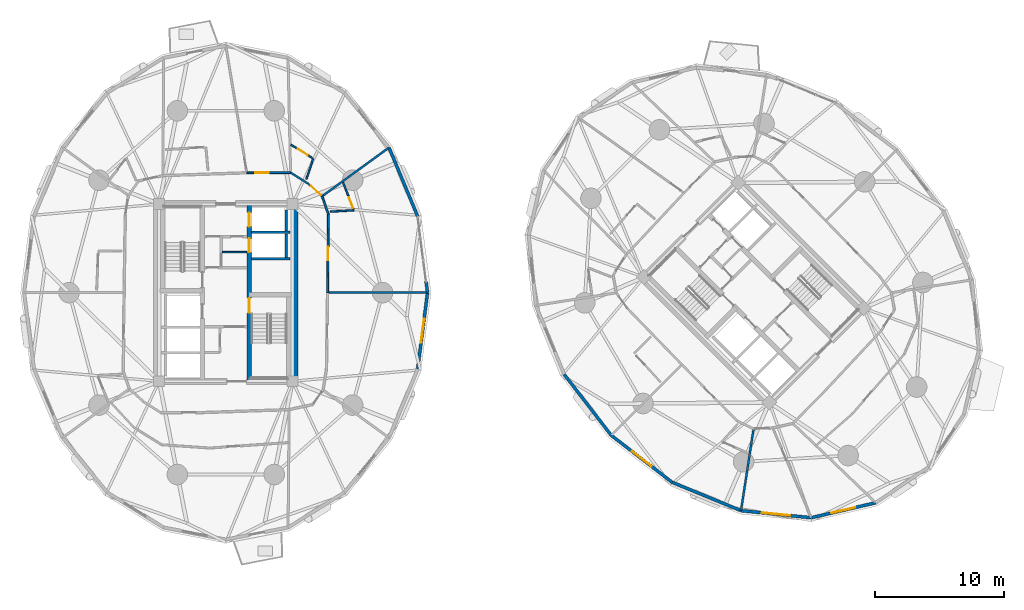
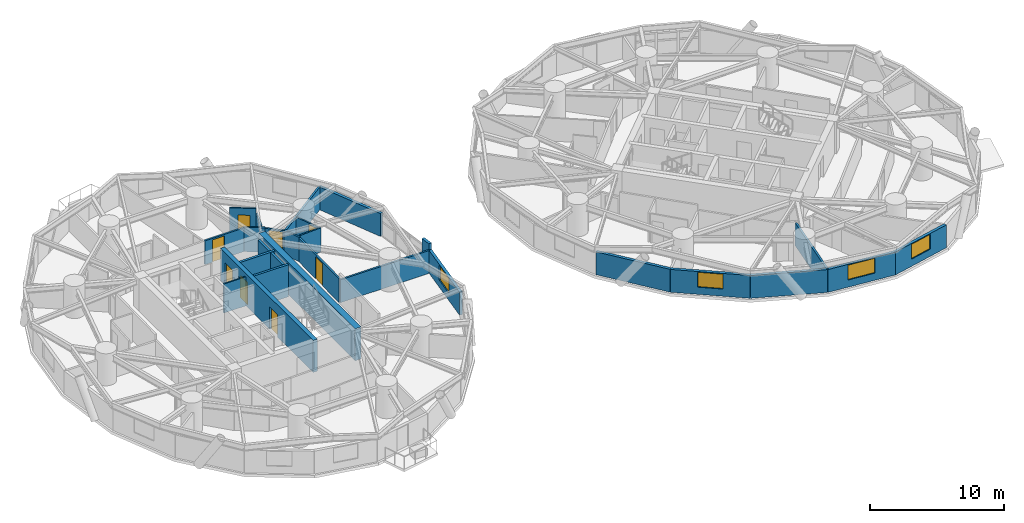
# One storey, part 11 of 18: 27 walls, 8 doors, 4 windows, 12 openings.
"""IFC4 building model written with IfcOpenShell, lengths in metres."""

from ifc_helpers import new_model, si_unit, direction, frame, frame_2d, origin, place, context, subcontext, project, spatial, rectangle, extrude, source, transform, mapped, material, layer, layer_set, type_object, element, fill, save


model = new_model("IFC4")

# Units and contexts
model_context = context("Model", 3, precision=1e-05, world=origin(), true_north=direction((0.0, 1.0)))
body_context = subcontext(model_context, "Body", "Model", "MODEL_VIEW")
ifc_project = project(units=[si_unit("LENGTHUNIT", "METRE"), si_unit("AREAUNIT", "SQUARE_METRE"), si_unit("VOLUMEUNIT", "CUBIC_METRE"), si_unit("PLANEANGLEUNIT", "RADIAN"), si_unit("MASSUNIT", "GRAM", prefix="KILO")], contexts=[model_context])

# Site, building, storey
site_placement = place(None, origin())
site = spatial("IfcSite", under=ifc_project, at=site_placement, CompositionType="ELEMENT")
building_placement = place(site_placement, origin())
building = spatial("IfcBuilding", under=site, at=building_placement, Name="Cununo Teusaquillo Station Towers", CompositionType="ELEMENT")
storey_placement = place(building_placement, frame((0.0, 0.0, 51.10009765625)))
storey = spatial("IfcBuildingStorey", under=building, at=storey_placement, Name="L15", CompositionType="ELEMENT", Elevation=51.10009765625)

# Walls
ifc_material_1 = material(Name="Concrete C50/60", Category="concrete")
ifc_layer_1 = layer(ifc_material_1, 0.199951171875)
ifc_layer_set_1 = layer_set([ifc_layer_1], Name="Concrete C50/60")
wall_type_1 = type_object("IfcWallType", Name="WL-CORE-200", PredefinedType="SHEAR", material=ifc_layer_set_1)
for number, where, z_axis, x_axis, name in (
    (1, (18.510009765625, 27.1298828125, 0.0), (0.0, 0.0, 1.0), (1.0, 0.0, 0.0), "L15 Tower A Low-Rise Lift Hoistway South Shear Wall"),
    (2, (18.510009765625, 29.175048828125, 0.0), (0.0, 0.0, 1.0), (1.0, 0.0, 0.0), "L15 Tower A Low-Rise Lift Hoistway Divider Shear Wall"),
):
    element("IfcWall", number, at=place(storey_placement, frame(where, z_axis=z_axis, x_axis=x_axis)), inside=storey, type_object=wall_type_1, Name=name, PredefinedType="SHEAR", context=body_context, shape_type="SweptSolid", body=[
        extrude(rectangle(XDim=2.969970703125, YDim=0.199951171875, at=frame_2d((1.48486328125, 0.0))), origin(), (0.0, 0.0, 1.0), 2.909912109375),
    ])
wall_1_placement = place(storey_placement, frame((21.179931640625, 27.25, 0.0), z_axis=(0.0, 0.0, 1.0), x_axis=(0.0, 1.0, 0.0)))
element("IfcWall", 3, at=wall_1_placement, inside=storey, type_object=wall_type_1, Name="L15 Tower A Low-Rise Lift 1 Shaft Rear Shear Wall", PredefinedType="SHEAR", context=body_context, shape_type="SweptSolid", body=[
    extrude(rectangle(XDim=1.804931640625, YDim=0.199951171875, at=frame_2d((0.90234375, 0.0))), origin(), (0.0, 0.0, 1.0), 2.909912109375),
])
wall_2_placement = place(storey_placement, frame((21.179931640625, 29.294921875, 0.0), z_axis=(0.0, 0.0, 1.0), x_axis=(0.0, 1.0, 0.0)))
element("IfcWall", 4, at=wall_2_placement, inside=storey, type_object=wall_type_1, Name="L15 Tower A Low-Rise Lift 2 Shaft Rear Shear Wall", PredefinedType="SHEAR", context=body_context, shape_type="SweptSolid", body=[
    extrude(rectangle(XDim=1.635009765625, YDim=0.199951171875, at=frame_2d((0.8173828125, 0.0))), origin(), (0.0, 0.0, 1.0), 2.909912109375),
])

# Wall, openings, doors
ifc_material_2 = material(Name="Concrete C50/60", Category="concrete")
ifc_layer_2 = layer(ifc_material_2, 0.35009765625)
ifc_layer_set_2 = layer_set([ifc_layer_2], Name="Concrete C50/60")
wall_type_2 = type_object("IfcWallType", Name="WL-CORE-350", PredefinedType="SHEAR", material=ifc_layer_set_2)
wall_3_placement = place(storey_placement, frame((18.31494140625, 17.60009765625, 0.0), z_axis=(0.0, 0.0, 1.0), x_axis=(0.0, 1.0, 0.0)))
wall_3 = element("IfcWall", 5, at=wall_3_placement, inside=storey, type_object=wall_type_2, Name="L15 Tower A Core Shear Wall IE", PredefinedType="SHEAR", context=body_context, shape_type="SweptSolid", body=[
    extrude(rectangle(XDim=13.7998046875, YDim=0.35009765625, at=frame_2d((6.89990234375, 0.0))), origin(), (0.0, 0.0, 1.0), 2.909912109375),
])
shared_shape_1 = source(origin(), body_context, "Body", "SweptSolid", [
    extrude(rectangle(XDim=1.10009765625, YDim=2.014892578125, at=frame_2d((0.550048828125, 1.00732421875))), frame((0.0, 0.18505859375, 0.0), z_axis=(0.0, -1.0, 0.0), x_axis=(1.0, 0.0, 0.0)), (0.0, 0.0, 1.0), 0.3701171875),
])
opening_1_placement = place(wall_3_placement, frame((10.02490234375, 0.0, 0.0)))
opening_1 = element("IfcOpeningElement", 6, at=opening_1_placement, cuts=wall_3, Name="Opening LD-01", PredefinedType="OPENING", context=body_context, shape_type="MappedRepresentation", body=[
    mapped(shared_shape_1, transform((0.0, 0.0, 0.0), x_axis=(1.0, 0.0, 0.0), y_axis=(0.0, 1.0, 0.0), z_axis=(0.0, 0.0, 1.0), scale=1.0)),
])
opening_2_placement = place(wall_3_placement, frame((12.02490234375, 0.0, 0.0)))
opening_2 = element("IfcOpeningElement", 7, at=opening_2_placement, cuts=wall_3, Name="Opening LD-01", PredefinedType="OPENING", context=body_context, shape_type="MappedRepresentation", body=[
    mapped(shared_shape_1, transform((0.0, 0.0, 0.0), x_axis=(1.0, 0.0, 0.0), y_axis=(0.0, 1.0, 0.0), z_axis=(0.0, 0.0, 1.0), scale=1.0)),
])
shared_shape_2 = source(origin(), body_context, "Body", "SweptSolid", [
    extrude(rectangle(XDim=1.14990234375, YDim=2.02001953125, at=frame_2d((0.574951171875, 1.010009765625))), frame((0.0, 0.18505859375, 0.0), z_axis=(0.0, -1.0, 0.0), x_axis=(1.0, 0.0, 0.0)), (0.0, 0.0, 1.0), 0.3701171875),
])
opening_3_placement = place(wall_3_placement, frame((5.330078125, 0.0, 0.0)))
opening_3 = element("IfcOpeningElement", 8, at=opening_3_placement, cuts=wall_3, Name="Opening D-ST1", PredefinedType="OPENING", context=body_context, shape_type="MappedRepresentation", body=[
    mapped(shared_shape_2, transform((0.0, 0.0, 0.0), x_axis=(1.0, 0.0, 0.0), y_axis=(0.0, 1.0, 0.0), z_axis=(0.0, 0.0, 1.0), scale=1.0)),
])
ifc_material_3 = material(Name="Galvanised fire-rated hollow steel door assembly", Category="steel")
door_type_1 = type_object("IfcDoorType", Name="DR-LIFT-1100", OperationType="SLIDING_TO_LEFT", PredefinedType="DOOR", material=ifc_material_3)
shared_shape_3 = source(origin(), body_context, "Body", "SweptSolid", [
    extrude(rectangle(XDim=1.10009765625, YDim=2.014892578125, at=frame_2d((0.550048828125, 1.00732421875))), frame((0.0, 0.02490234375, 0.0), z_axis=(0.0, -1.0, 0.0), x_axis=(1.0, 0.0, 0.0)), (0.0, 0.0, 1.0), 0.050048828125),
])
door_1_placement = place(opening_1_placement, origin())
door_1 = element("IfcDoor", 9, at=door_1_placement, inside=storey, type_object=door_type_1, Name="L15 Lift PL-T1-L1 Sliding Landing Door", OperationType="SLIDING_TO_LEFT", OverallHeight=2.014892578125, OverallWidth=1.10009765625, PredefinedType="DOOR", context=body_context, shape_type="MappedRepresentation", body=[
    mapped(shared_shape_3, transform((0.0, 0.0, 0.0), x_axis=(1.0, 0.0, 0.0), y_axis=(0.0, 1.0, 0.0), z_axis=(0.0, 0.0, 1.0), scale=1.0)),
])
fill(opening_1, door_1)
door_2_placement = place(opening_2_placement, origin())
door_2 = element("IfcDoor", 10, at=door_2_placement, inside=storey, type_object=door_type_1, Name="L15 Lift PL-T1-L2 Sliding Landing Door", OperationType="SLIDING_TO_RIGHT", OverallHeight=2.014892578125, OverallWidth=1.10009765625, PredefinedType="DOOR", context=body_context, shape_type="MappedRepresentation", body=[
    mapped(shared_shape_3, transform((0.0, 0.0, 0.0), x_axis=(1.0, 0.0, 0.0), y_axis=(0.0, 1.0, 0.0), z_axis=(0.0, 0.0, 1.0), scale=1.0)),
])
fill(opening_2, door_2)
ifc_material_4 = material(Name="Galvanised fire-rated hollow steel door assembly", Category="steel")
door_type_2 = type_object("IfcDoorType", Name="DR-STAIR-1150", OperationType="NOTDEFINED", PredefinedType="DOOR", material=ifc_material_4)
shared_shape_4 = source(origin(), body_context, "Body", "SweptSolid", [
    extrude(rectangle(XDim=1.14990234375, YDim=2.02001953125, at=frame_2d((0.574951171875, 1.010009765625))), frame((0.0, 0.02490234375, 0.0), z_axis=(0.0, -1.0, 0.0), x_axis=(1.0, 0.0, 0.0)), (0.0, 0.0, 1.0), 0.050048828125),
])
door_3_placement = place(opening_3_placement, origin())
door_3 = element("IfcDoor", 11, at=door_3_placement, inside=storey, type_object=door_type_2, Name="L15 Tower A Exit Stair 2 Fire Door", OperationType="SINGLE_SWING_LEFT", OverallHeight=2.02001953125, OverallWidth=1.14990234375, PredefinedType="DOOR", context=body_context, shape_type="MappedRepresentation", body=[
    mapped(shared_shape_4, transform((0.0, 0.0, 0.0), x_axis=(1.0, 0.0, 0.0), y_axis=(0.0, 1.0, 0.0), z_axis=(0.0, 0.0, 1.0), scale=1.0)),
])
fill(opening_3, door_3)

# Walls
ifc_material_5 = material(Name="Concrete C60/75", Category="concrete")
ifc_layer_3 = layer(ifc_material_5, 0.5)
ifc_layer_set_3 = layer_set([ifc_layer_3], Name="Concrete C60/75")
wall_type_3 = type_object("IfcWallType", Name="WL-CORE-500", PredefinedType="SHEAR", material=ifc_layer_set_3)
wall_4_placement = place(storey_placement, frame((21.85009765625, 17.35009765625, 0.0), z_axis=(0.0, 0.0, 1.0), x_axis=(0.0, 1.0, 0.0)))
element("IfcWall", 12, at=wall_4_placement, inside=storey, type_object=wall_type_3, Name="L15 Tower A Core Shear Wall E", PredefinedType="SHEAR", context=body_context, shape_type="SweptSolid", body=[
    extrude(rectangle(XDim=14.2998046875, YDim=0.5, at=frame_2d((7.14990234375, 0.0))), origin(), (0.0, 0.0, 1.0), 2.909912109375),
])
ifc_material_6 = material(Name="Precast concrete C40/50", Category="concrete")
ifc_layer_4 = layer(ifc_material_6, 0.239990234375)
ifc_layer_set_4 = layer_set([ifc_layer_4], Name="Precast concrete C40/50")
wall_type_4 = type_object("IfcWallType", Name="WL-EXT-240", PredefinedType="SOLIDWALL", material=ifc_layer_set_4)
wall_5_placement = place(storey_placement, frame((32.05126953125, 25.36279296875, 0.0), z_axis=(0.0, 0.0, 1.0), x_axis=(0.128523364007, -0.991706481225, 0.0)))
element("IfcWall", 13, at=wall_5_placement, inside=storey, type_object=wall_type_4, Name="L15 Tower A Column Pier Cladding Wall C00-PB", PredefinedType="SOLIDWALL", context=body_context, shape_type="SweptSolid", body=[
    extrude(rectangle(XDim=0.8701171875, YDim=0.239990234375, at=frame_2d((0.43505859375, 0.0))), origin(), (0.0, 0.0, 1.0), 2.635009765625),
])
wall_6_placement = place(storey_placement, frame((29.171630859375, 35.767822265625, 0.0), z_axis=(0.0, 0.0, 1.0), x_axis=(0.384348836956, -0.923187939442, 0.0)))
element("IfcWall", 14, at=wall_6_placement, inside=storey, type_object=wall_type_4, Name="L15 Tower A Exterior Facade Wall C01", PredefinedType="SOLIDWALL", context=body_context, shape_type="SweptSolid", body=[
    extrude(rectangle(XDim=5.78857421875, YDim=0.239990234375, at=frame_2d((2.894287109375, 0.0))), origin(), (0.0, 0.0, 1.0), 2.072998046875),
])

# Wall, opening, window
wall_7_placement = place(storey_placement, frame((32.1630859375, 24.5, 0.0), z_axis=(0.0, 0.0, 1.0), x_axis=(-0.128339641463, -0.991730274031, 0.0)))
wall_7 = element("IfcWall", 15, at=wall_7_placement, inside=storey, type_object=wall_type_4, Name="L15 Tower A Exterior Facade Wall C19", PredefinedType="SOLIDWALL", context=body_context, shape_type="SweptSolid", body=[
    extrude(rectangle(XDim=5.97314453125, YDim=0.239990234375, at=frame_2d((2.986572265625, 0.0))), origin(), (0.0, 0.0, 1.0), 2.072998046875),
])
shared_shape_5 = source(origin(), body_context, "Body", "SweptSolid", [
    extrude(rectangle(XDim=1.89990234375, YDim=1.35009765625, at=frame_2d((0.949951171875, 0.675048828125))), frame((0.0, 0.1298828125, 0.0), z_axis=(0.0, -1.0, 0.0), x_axis=(1.0, 0.0, 0.0)), (0.0, 0.0, 1.0), 0.260009765625),
])
opening_4_placement = place(wall_7_placement, frame((2.037109375, 0.0, 0.64990234375)))
opening_4 = element("IfcOpeningElement", 16, at=opening_4_placement, cuts=wall_7, Name="Opening WN-02", PredefinedType="OPENING", context=body_context, shape_type="MappedRepresentation", body=[
    mapped(shared_shape_5, transform((0.0, 0.0, 0.0), x_axis=(1.0, 0.0, 0.0), y_axis=(0.0, 1.0, 0.0), z_axis=(0.0, 0.0, 1.0), scale=1.0)),
])
ifc_material_7 = material(Name="Operable acoustic tinted low-E double glazing", Category="glass")
window_type_1 = type_object("IfcWindowType", Name="WIN-OPER-1900", PartitioningType="DOUBLE_PANEL_VERTICAL", PredefinedType="WINDOW", material=ifc_material_7)
shared_shape_6 = source(origin(), body_context, "Body", "SweptSolid", [
    extrude(rectangle(XDim=1.89990234375, YDim=1.35009765625, at=frame_2d((0.949951171875, 0.675048828125))), frame((0.0, 0.030029296875, 0.0), z_axis=(0.0, -1.0, 0.0), x_axis=(1.0, 0.0, 0.0)), (0.0, 0.0, 1.0), 0.06005859375),
])
window_1_placement = place(opening_4_placement, origin())
window_1 = element("IfcWindow", 17, at=window_1_placement, inside=storey, type_object=window_type_1, Name="L15 Tower A Facade Window C19", OverallHeight=1.35009765625, OverallWidth=1.89990234375, PartitioningType="DOUBLE_PANEL_VERTICAL", PredefinedType="WINDOW", context=body_context, shape_type="MappedRepresentation", body=[
    mapped(shared_shape_6, transform((0.0, 0.0, 0.0), x_axis=(1.0, 0.0, 0.0), y_axis=(0.0, 1.0, 0.0), z_axis=(0.0, 0.0, 1.0), scale=1.0)),
])
fill(opening_4, window_1)

# Wall
wall_8_placement = place(storey_placement, frame((46.424560546875, 13.424560546875, 0.0), z_axis=(0.0, 0.0, 1.0), x_axis=(-0.610502519057, 0.792014314407, 0.0)))
element("IfcWall", 18, at=wall_8_placement, inside=storey, type_object=wall_type_4, Name="L15 Tower B Exterior Facade Wall C09", PredefinedType="SOLIDWALL", context=body_context, shape_type="SweptSolid", body=[
    extrude(rectangle(XDim=5.973388671875, YDim=0.239990234375, at=frame_2d((2.98681640625, 0.0))), origin(), (0.0, 0.0, 1.0), 2.072998046875),
])

# Wall, opening, window
wall_9_placement = place(storey_placement, frame((51.155517578125, 9.77783203125, 0.0), z_axis=(0.0, 0.0, 1.0), x_axis=(-0.792014314407, 0.610502519057, 0.0)))
wall_9 = element("IfcWall", 19, at=wall_9_placement, inside=storey, type_object=wall_type_4, Name="L15 Tower B Exterior Facade Wall C10", PredefinedType="SOLIDWALL", context=body_context, shape_type="SweptSolid", body=[
    extrude(rectangle(XDim=5.973388671875, YDim=0.239990234375, at=frame_2d((2.98681640625, 0.0))), origin(), (0.0, 0.0, 1.0), 2.072998046875),
])
opening_5_placement = place(wall_9_placement, frame((2.037109375, 0.0, 0.64990234375)))
opening_5 = element("IfcOpeningElement", 20, at=opening_5_placement, cuts=wall_9, Name="Opening WN-02", PredefinedType="OPENING", context=body_context, shape_type="MappedRepresentation", body=[
    mapped(shared_shape_5, transform((0.0, 0.0, 0.0), x_axis=(1.0, 0.0, 0.0), y_axis=(0.0, 1.0, 0.0), z_axis=(0.0, 0.0, 1.0), scale=1.0)),
])
window_2_placement = place(opening_5_placement, origin())
window_2 = element("IfcWindow", 21, at=window_2_placement, inside=storey, type_object=window_type_1, Name="L15 Tower B Facade Window C10", OverallHeight=1.35009765625, OverallWidth=1.89990234375, PartitioningType="DOUBLE_PANEL_VERTICAL", PredefinedType="WINDOW", context=body_context, shape_type="MappedRepresentation", body=[
    mapped(shared_shape_6, transform((0.0, 0.0, 0.0), x_axis=(1.0, 0.0, 0.0), y_axis=(0.0, 1.0, 0.0), z_axis=(0.0, 0.0, 1.0), scale=1.0)),
])
fill(opening_5, window_2)

# Wall
wall_10_placement = place(storey_placement, frame((56.50732421875, 7.572265625, 0.0), z_axis=(0.0, 0.0, 1.0), x_axis=(-0.924563629567, 0.381027682565, 0.0)))
element("IfcWall", 22, at=wall_10_placement, inside=storey, type_object=wall_type_4, Name="L15 Tower B Exterior Facade Wall C11", PredefinedType="SOLIDWALL", context=body_context, shape_type="SweptSolid", body=[
    extrude(rectangle(XDim=5.78857421875, YDim=0.239990234375, at=frame_2d((2.894287109375, 0.0))), origin(), (0.0, 0.0, 1.0), 2.072998046875),
])

# Wall, opening, window
wall_11_placement = place(storey_placement, frame((61.95654296875, 7.023681640625, 0.0), z_axis=(0.0, 0.0, 1.0), x_axis=(-0.994970765694, 0.100165739718, 0.0)))
wall_11 = element("IfcWall", 23, at=wall_11_placement, inside=storey, type_object=wall_type_4, Name="L15 Tower B Exterior Facade Wall C12", PredefinedType="SOLIDWALL", context=body_context, shape_type="SweptSolid", body=[
    extrude(rectangle(XDim=5.476806640625, YDim=0.239990234375, at=frame_2d((2.73828125, 0.0))), origin(), (0.0, 0.0, 1.0), 2.072998046875),
])
shared_shape_7 = source(origin(), body_context, "Body", "SweptSolid", [
    extrude(rectangle(XDim=2.199951171875, YDim=1.35009765625, at=frame_2d((1.10009765625, 0.675048828125))), frame((0.0, 0.1298828125, 0.0), z_axis=(0.0, -1.0, 0.0), x_axis=(1.0, 0.0, 0.0)), (0.0, 0.0, 1.0), 0.260009765625),
])
opening_6_placement = place(wall_11_placement, frame((1.637939453125, 0.0, 0.64990234375)))
opening_6 = element("IfcOpeningElement", 24, at=opening_6_placement, cuts=wall_11, Name="Opening WN-01", PredefinedType="OPENING", context=body_context, shape_type="MappedRepresentation", body=[
    mapped(shared_shape_7, transform((0.0, 0.0, 0.0), x_axis=(1.0, 0.0, 0.0), y_axis=(0.0, 1.0, 0.0), z_axis=(0.0, 0.0, 1.0), scale=1.0)),
])
ifc_material_8 = material(Name="Ceramic-fritted dark low-E double glazing", Category="glass")
window_type_2 = type_object("IfcWindowType", Name="WIN-FRIT-2200", PartitioningType="DOUBLE_PANEL_VERTICAL", PredefinedType="WINDOW", material=ifc_material_8)
shared_shape_8 = source(origin(), body_context, "Body", "SweptSolid", [
    extrude(rectangle(XDim=2.199951171875, YDim=1.35009765625, at=frame_2d((1.10009765625, 0.675048828125))), frame((0.0, 0.030029296875, 0.0), z_axis=(0.0, -1.0, 0.0), x_axis=(1.0, 0.0, 0.0)), (0.0, 0.0, 1.0), 0.06005859375),
])
window_3_placement = place(opening_6_placement, origin())
window_3 = element("IfcWindow", 25, at=window_3_placement, inside=storey, type_object=window_type_2, Name="L15 Tower B Facade Window C12", OverallHeight=1.35009765625, OverallWidth=2.199951171875, PartitioningType="DOUBLE_PANEL_VERTICAL", PredefinedType="WINDOW", context=body_context, shape_type="MappedRepresentation", body=[
    mapped(shared_shape_8, transform((0.0, 0.0, 0.0), x_axis=(1.0, 0.0, 0.0), y_axis=(0.0, 1.0, 0.0), z_axis=(0.0, 0.0, 1.0), scale=1.0)),
])
fill(opening_6, window_3)

wall_12_placement = place(storey_placement, frame((66.969482421875, 8.185791015625, 0.0), z_axis=(0.0, 0.0, 1.0), x_axis=(-0.974166016949, -0.225833060959, 0.0)))
wall_12 = element("IfcWall", 26, at=wall_12_placement, inside=storey, type_object=wall_type_4, Name="L15 Tower B Exterior Facade Wall C13", PredefinedType="SOLIDWALL", context=body_context, shape_type="SweptSolid", body=[
    extrude(rectangle(XDim=5.14599609375, YDim=0.239990234375, at=frame_2d((2.572998046875, 0.0))), origin(), (0.0, 0.0, 1.0), 2.072998046875),
])
opening_7_placement = place(wall_12_placement, frame((1.623046875, 0.0, 0.64990234375)))
opening_7 = element("IfcOpeningElement", 27, at=opening_7_placement, cuts=wall_12, Name="Opening WN-02", PredefinedType="OPENING", context=body_context, shape_type="MappedRepresentation", body=[
    mapped(shared_shape_5, transform((0.0, 0.0, 0.0), x_axis=(1.0, 0.0, 0.0), y_axis=(0.0, 1.0, 0.0), z_axis=(0.0, 0.0, 1.0), scale=1.0)),
])
window_4_placement = place(opening_7_placement, origin())
window_4 = element("IfcWindow", 28, at=window_4_placement, inside=storey, type_object=window_type_1, Name="L15 Tower B Facade Window C13", OverallHeight=1.35009765625, OverallWidth=1.89990234375, PartitioningType="DOUBLE_PANEL_VERTICAL", PredefinedType="WINDOW", context=body_context, shape_type="MappedRepresentation", body=[
    mapped(shared_shape_6, transform((0.0, 0.0, 0.0), x_axis=(1.0, 0.0, 0.0), y_axis=(0.0, 1.0, 0.0), z_axis=(0.0, 0.0, 1.0), scale=1.0)),
])
fill(opening_7, window_4)

# Walls
ifc_material_9 = material(Name="Fire-rated gypsum plasterboard partition assembly", Category="gypsum")
ifc_layer_5 = layer(ifc_material_9, 0.125)
ifc_layer_set_5 = layer_set([ifc_layer_5], Name="Fire-rated gypsum plasterboard partition assembly")
wall_type_5 = type_object("IfcWallType", Name="WL-PART-125", PredefinedType="PARTITIONING", material=ifc_layer_set_5)
wall_13_placement = place(storey_placement, frame((16.239990234375, 27.64990234375, 0.0), z_axis=(0.0, 0.0, 1.0), x_axis=(1.0, 0.0, 0.0)))
element("IfcWall", 29, at=wall_13_placement, inside=storey, type_object=wall_type_5, Name="L15 Tower A Core Horizontal Split Wall", PredefinedType="PARTITIONING", context=body_context, shape_type="SweptSolid", body=[
    extrude(rectangle(XDim=1.880126953125, YDim=0.125, at=frame_2d((0.93994140625, 0.0))), origin(), (0.0, 0.0, 1.0), 2.635009765625),
])
wall_14_placement = place(storey_placement, frame((24.6005859375, 30.7900390625, 0.0), z_axis=(0.0, 0.0, 1.0), x_axis=(0.998323904123, 0.057873849514, 0.0)))
element("IfcWall", 30, at=wall_14_placement, inside=storey, type_object=wall_type_5, Name="L15 Tower A S01 En-suite Side Wall", PredefinedType="PARTITIONING", context=body_context, shape_type="SweptSolid", body=[
    extrude(rectangle(XDim=1.856201171875, YDim=0.125, at=frame_2d((0.92822265625, 0.0))), origin(), (0.0, 0.0, 1.0), 2.204833984375),
])

# Wall, opening, door
wall_15_placement = place(storey_placement, frame((26.427978515625, 30.962890625, 0.0), z_axis=(0.0, 0.0, 1.0), x_axis=(-0.364149471566, 0.931340519014, 0.0)))
wall_15 = element("IfcWall", 31, at=wall_15_placement, inside=storey, type_object=wall_type_5, Name="L15 Tower A S01 En-suite Back Wall", PredefinedType="PARTITIONING", context=body_context, shape_type="SweptSolid", body=[
    extrude(rectangle(XDim=2.247314453125, YDim=0.125, at=frame_2d((1.12353515625, 0.0))), origin(), (0.0, 0.0, 1.0), 2.158935546875),
])
shared_shape_9 = source(origin(), body_context, "Body", "SweptSolid", [
    extrude(rectangle(XDim=0.89990234375, YDim=2.0048828125, at=frame_2d((0.449951171875, 1.00244140625))), frame((0.0, 0.072509765625, 0.0), z_axis=(0.0, -1.0, 0.0), x_axis=(1.0, 0.0, 0.0)), (0.0, 0.0, 1.0), 0.14501953125),
])
opening_8_placement = place(wall_15_placement, frame((0.1201171875, 0.0, 0.0)))
opening_8 = element("IfcOpeningElement", 32, at=opening_8_placement, cuts=wall_15, Name="Opening D-IN1", PredefinedType="OPENING", context=body_context, shape_type="MappedRepresentation", body=[
    mapped(shared_shape_9, transform((0.0, 0.0, 0.0), x_axis=(1.0, 0.0, 0.0), y_axis=(0.0, 1.0, 0.0), z_axis=(0.0, 0.0, 1.0), scale=1.0)),
])
ifc_material_10 = material(Name="Acoustic solid-core hardwood leaf assembly", Category="wood")
door_type_3 = type_object("IfcDoorType", Name="DR-INT-900", OperationType="NOTDEFINED", PredefinedType="DOOR", material=ifc_material_10)
shared_shape_10 = source(origin(), body_context, "Body", "SweptSolid", [
    extrude(rectangle(XDim=0.89990234375, YDim=2.0048828125, at=frame_2d((0.449951171875, 1.00244140625))), frame((0.0, 0.02490234375, 0.0), z_axis=(0.0, -1.0, 0.0), x_axis=(1.0, 0.0, 0.0)), (0.0, 0.0, 1.0), 0.050048828125),
])
door_4_placement = place(opening_8_placement, origin())
door_4 = element("IfcDoor", 33, at=door_4_placement, inside=storey, type_object=door_type_3, Name="L15 Tower A S01 En-suite Bathroom Door", OperationType="SINGLE_SWING_RIGHT", OverallHeight=2.0048828125, OverallWidth=0.89990234375, PredefinedType="DOOR", context=body_context, shape_type="MappedRepresentation", body=[
    mapped(shared_shape_10, transform((0.0, 0.0, 0.0), x_axis=(1.0, 0.0, 0.0), y_axis=(0.0, 1.0, 0.0), z_axis=(0.0, 0.0, 1.0), scale=1.0)),
])
fill(opening_8, door_4)

# Wall
wall_16_placement = place(storey_placement, frame((22.76025390625, 33.312744140625, 0.0), z_axis=(0.0, 0.0, 1.0), x_axis=(0.312649886595, 0.949868437423, 0.0)))
element("IfcWall", 34, at=wall_16_placement, inside=storey, type_object=wall_type_5, Name="L15 Tower A S02 En-suite Side Wall", PredefinedType="PARTITIONING", context=body_context, shape_type="SweptSolid", body=[
    extrude(rectangle(XDim=1.6796875, YDim=0.125, at=frame_2d((0.83984375, 0.0))), origin(), (0.0, 0.0, 1.0), 2.204833984375),
])

# Wall, opening, door
wall_17_placement = place(storey_placement, frame((23.23291015625, 34.941162109375, 0.0), z_axis=(0.0, 0.0, 1.0), x_axis=(-0.84760373009, 0.53062973601, 0.0)))
wall_17 = element("IfcWall", 35, at=wall_17_placement, inside=storey, type_object=wall_type_5, Name="L15 Tower A S02 En-suite Back Wall", PredefinedType="PARTITIONING", context=body_context, shape_type="SweptSolid", body=[
    extrude(rectangle(XDim=1.982666015625, YDim=0.125, at=frame_2d((0.9912109375, 0.0))), origin(), (0.0, 0.0, 1.0), 2.635009765625),
])
opening_9_placement = place(wall_17_placement, frame((0.43603515625, 0.0, 0.0)))
opening_9 = element("IfcOpeningElement", 36, at=opening_9_placement, cuts=wall_17, Name="Opening D-IN1", PredefinedType="OPENING", context=body_context, shape_type="MappedRepresentation", body=[
    mapped(shared_shape_9, transform((0.0, 0.0, 0.0), x_axis=(1.0, 0.0, 0.0), y_axis=(0.0, 1.0, 0.0), z_axis=(0.0, 0.0, 1.0), scale=1.0)),
])
door_5_placement = place(opening_9_placement, origin())
door_5 = element("IfcDoor", 37, at=door_5_placement, inside=storey, type_object=door_type_3, Name="L15 Tower A S02 En-suite Bathroom Door", OperationType="SINGLE_SWING_RIGHT", OverallHeight=2.0048828125, OverallWidth=0.89990234375, PredefinedType="DOOR", context=body_context, shape_type="MappedRepresentation", body=[
    mapped(shared_shape_10, transform((0.0, 0.0, 0.0), x_axis=(1.0, 0.0, 0.0), y_axis=(0.0, 1.0, 0.0), z_axis=(0.0, 0.0, 1.0), scale=1.0)),
])
fill(opening_9, door_5)

ifc_material_11 = material(Name="Fire-rated gypsum plasterboard partition assembly", Category="gypsum")
ifc_layer_6 = layer(ifc_material_11, 0.14990234375)
ifc_layer_set_6 = layer_set([ifc_layer_6], Name="Fire-rated gypsum plasterboard partition assembly")
wall_type_6 = type_object("IfcWallType", Name="WL-PART-150", PredefinedType="PARTITIONING", material=ifc_layer_set_6)
wall_18_placement = place(storey_placement, frame((24.39990234375, 24.5, 0.0), z_axis=(0.0, 0.0, 1.0), x_axis=(0.011359710161, 0.999935476411, 0.0)))
wall_18 = element("IfcWall", 38, at=wall_18_placement, inside=storey, type_object=wall_type_6, Name="L15 Tower A Corridor Ring Wall C00", PredefinedType="PARTITIONING", context=body_context, shape_type="SweptSolid", body=[
    extrude(rectangle(XDim=6.082275390625, YDim=0.14990234375, at=frame_2d((3.041015625, 0.0))), origin(), (0.0, 0.0, 1.0), 2.158935546875),
])
shared_shape_11 = source(origin(), body_context, "Body", "SweptSolid", [
    extrude(rectangle(XDim=1.050048828125, YDim=2.014892578125, at=frame_2d((0.52490234375, 1.00732421875))), frame((0.0, 0.0849609375, 0.0), z_axis=(0.0, -1.0, 0.0), x_axis=(1.0, 0.0, 0.0)), (0.0, 0.0, 1.0), 0.169921875),
])
opening_10_placement = place(wall_18_placement, frame((2.51611328125, 0.0, 0.0)))
opening_10 = element("IfcOpeningElement", 39, at=opening_10_placement, cuts=wall_18, Name="Opening D-SU1", PredefinedType="OPENING", context=body_context, shape_type="MappedRepresentation", body=[
    mapped(shared_shape_11, transform((0.0, 0.0, 0.0), x_axis=(1.0, 0.0, 0.0), y_axis=(0.0, 1.0, 0.0), z_axis=(0.0, 0.0, 1.0), scale=1.0)),
])
ifc_material_12 = material(Name="Acoustic solid-core hardwood leaf assembly", Category="wood")
door_type_4 = type_object("IfcDoorType", Name="DR-SUITE-1050", OperationType="NOTDEFINED", PredefinedType="DOOR", material=ifc_material_12)
shared_shape_12 = source(origin(), body_context, "Body", "SweptSolid", [
    extrude(rectangle(XDim=1.050048828125, YDim=2.014892578125, at=frame_2d((0.52490234375, 1.00732421875))), frame((0.0, 0.02490234375, 0.0), z_axis=(0.0, -1.0, 0.0), x_axis=(1.0, 0.0, 0.0)), (0.0, 0.0, 1.0), 0.050048828125),
])
door_6_placement = place(opening_10_placement, origin())
door_6 = element("IfcDoor", 40, at=door_6_placement, inside=storey, type_object=door_type_4, Name="L15 Tower A Premier Diplomatic Hotel Suite Entrance Door", OperationType="SINGLE_SWING_LEFT", OverallHeight=2.014892578125, OverallWidth=1.050048828125, PredefinedType="DOOR", context=body_context, shape_type="MappedRepresentation", body=[
    mapped(shared_shape_12, transform((0.0, 0.0, 0.0), x_axis=(1.0, 0.0, 0.0), y_axis=(0.0, 1.0, 0.0), z_axis=(0.0, 0.0, 1.0), scale=1.0)),
])
fill(opening_10, door_6)

# Wall
wall_19_placement = place(storey_placement, frame((24.468994140625, 30.581787109375, 0.0), z_axis=(0.0, 0.0, 1.0), x_axis=(-0.328902536986, 0.944363871166, 0.0)))
element("IfcWall", 41, at=wall_19_placement, inside=storey, type_object=wall_type_6, Name="L15 Tower A Corridor Ring Wall C01", PredefinedType="PARTITIONING", context=body_context, shape_type="SweptSolid", body=[
    extrude(rectangle(XDim=1.487548828125, YDim=0.14990234375, at=frame_2d((0.74365234375, 0.0))), origin(), (0.0, 0.0, 1.0), 2.204833984375),
])

# Wall, opening, door
wall_20_placement = place(storey_placement, frame((23.979736328125, 31.986572265625, 0.0), z_axis=(0.0, 0.0, 1.0), x_axis=(-0.744317922268, 0.667825449193, 0.0)))
wall_20 = element("IfcWall", 42, at=wall_20_placement, inside=storey, type_object=wall_type_6, Name="L15 Tower A Corridor Ring Wall C02", PredefinedType="PARTITIONING", context=body_context, shape_type="SweptSolid", body=[
    extrude(rectangle(XDim=1.48095703125, YDim=0.14990234375, at=frame_2d((0.740478515625, 0.0))), origin(), (0.0, 0.0, 1.0), 2.158935546875),
])
opening_11_placement = place(wall_20_placement, frame((0.1201171875, 0.0, 0.0)))
opening_11 = element("IfcOpeningElement", 43, at=opening_11_placement, cuts=wall_20, Name="Opening D-SU1", PredefinedType="OPENING", context=body_context, shape_type="MappedRepresentation", body=[
    mapped(shared_shape_11, transform((0.0, 0.0, 0.0), x_axis=(1.0, 0.0, 0.0), y_axis=(0.0, 1.0, 0.0), z_axis=(0.0, 0.0, 1.0), scale=1.0)),
])
door_7_placement = place(opening_11_placement, origin())
door_7 = element("IfcDoor", 44, at=door_7_placement, inside=storey, type_object=door_type_4, Name="L15 Tower A Executive Club Hotel Suite Entrance Door", OperationType="SINGLE_SWING_LEFT", OverallHeight=2.014892578125, OverallWidth=1.050048828125, PredefinedType="DOOR", context=body_context, shape_type="MappedRepresentation", body=[
    mapped(shared_shape_12, transform((0.0, 0.0, 0.0), x_axis=(1.0, 0.0, 0.0), y_axis=(0.0, 1.0, 0.0), z_axis=(0.0, 0.0, 1.0), scale=1.0)),
])
fill(opening_11, door_7)

# Wall
wall_21_placement = place(storey_placement, frame((22.87744140625, 32.9755859375, 0.0), z_axis=(0.0, 0.0, 1.0), x_axis=(-0.846723232687, 0.532033614754, 0.0)))
element("IfcWall", 45, at=wall_21_placement, inside=storey, type_object=wall_type_6, Name="L15 Tower A Corridor Ring Wall C03", PredefinedType="PARTITIONING", context=body_context, shape_type="SweptSolid", body=[
    extrude(rectangle(XDim=1.594970703125, YDim=0.14990234375, at=frame_2d((0.79736328125, 0.0))), origin(), (0.0, 0.0, 1.0), 2.204833984375),
])

# Wall, opening, door
wall_22_placement = place(storey_placement, frame((21.52685546875, 33.82421875, 0.0), z_axis=(0.0, 0.0, 1.0), x_axis=(-0.999990631344, -0.00432865146, 0.0)))
wall_22 = element("IfcWall", 46, at=wall_22_placement, inside=storey, type_object=wall_type_6, Name="L15 Tower A Corridor Ring Wall C04", PredefinedType="PARTITIONING", context=body_context, shape_type="SweptSolid", body=[
    extrude(rectangle(XDim=3.384033203125, YDim=0.14990234375, at=frame_2d((1.69189453125, 0.0))), origin(), (0.0, 0.0, 1.0), 2.158935546875),
])
opening_12_placement = place(wall_22_placement, frame((1.6904296875, 0.0, 0.0)))
opening_12 = element("IfcOpeningElement", 47, at=opening_12_placement, cuts=wall_22, Name="Opening D-SU1", PredefinedType="OPENING", context=body_context, shape_type="MappedRepresentation", body=[
    mapped(shared_shape_11, transform((0.0, 0.0, 0.0), x_axis=(1.0, 0.0, 0.0), y_axis=(0.0, 1.0, 0.0), z_axis=(0.0, 0.0, 1.0), scale=1.0)),
])
door_8_placement = place(opening_12_placement, origin())
door_8 = element("IfcDoor", 48, at=door_8_placement, inside=storey, type_object=door_type_4, Name="L15 Tower A Presidential Hospitality Suite Entrance Door", OperationType="SINGLE_SWING_LEFT", OverallHeight=2.014892578125, OverallWidth=1.050048828125, PredefinedType="DOOR", context=body_context, shape_type="MappedRepresentation", body=[
    mapped(shared_shape_12, transform((0.0, 0.0, 0.0), x_axis=(1.0, 0.0, 0.0), y_axis=(0.0, 1.0, 0.0), z_axis=(0.0, 0.0, 1.0), scale=1.0)),
])
fill(opening_12, door_8)

# Walls
ifc_material_13 = material(Name="Fire-rated gypsum plasterboard partition assembly", Category="gypsum")
ifc_layer_7 = layer(ifc_material_13, 0.159912109375)
ifc_layer_set_7 = layer_set([ifc_layer_7], Name="Fire-rated gypsum plasterboard partition assembly")
wall_type_7 = type_object("IfcWallType", Name="WL-PART-160", PredefinedType="PARTITIONING", material=ifc_layer_set_7)
wall_23_placement = place(storey_placement, frame((24.39990234375, 24.5, 0.0), z_axis=(0.0, 0.0, 1.0), x_axis=(1.0, 0.0, 0.0)))
element("IfcWall", 49, at=wall_23_placement, inside=storey, type_object=wall_type_7, Name="L15 Tower A Radial Suite Partition R01", PredefinedType="PARTITIONING", context=body_context, shape_type="SweptSolid", body=[
    extrude(rectangle(XDim=7.7431640625, YDim=0.159912109375, at=frame_2d((3.87158203125, 0.0))), origin(), (0.0, 0.0, 1.0), 2.072998046875),
])
wall_24_placement = place(storey_placement, frame((23.979736328125, 31.986572265625, 0.0), z_axis=(0.0, 0.0, 1.0), x_axis=(0.80834018144, 0.588715679313, 0.0)))
element("IfcWall", 50, at=wall_24_placement, inside=storey, type_object=wall_type_7, Name="L15 Tower A Radial Suite Partition R02", PredefinedType="PARTITIONING", context=body_context, shape_type="SweptSolid", body=[
    extrude(rectangle(XDim=6.403076171875, YDim=0.159912109375, at=frame_2d((3.20166015625, 0.0))), origin(), (0.0, 0.0, 1.0), 2.072998046875),
])
wall_25_placement = place(storey_placement, frame((57.48291015625, 13.925048828125, 0.0), z_axis=(0.0, 0.0, 1.0), x_axis=(-0.151762268519, -0.988417024264, 0.0)))
element("IfcWall", 51, at=wall_25_placement, inside=storey, type_object=wall_type_7, Name="L15 Tower B Radial Suite Partition R07", PredefinedType="PARTITIONING", context=body_context, shape_type="SweptSolid", body=[
    extrude(rectangle(XDim=6.407470703125, YDim=0.159912109375, at=frame_2d((3.20361328125, 0.0))), origin(), (0.0, 0.0, 1.0), 2.072998046875),
])

save(model, "model.ifc")
